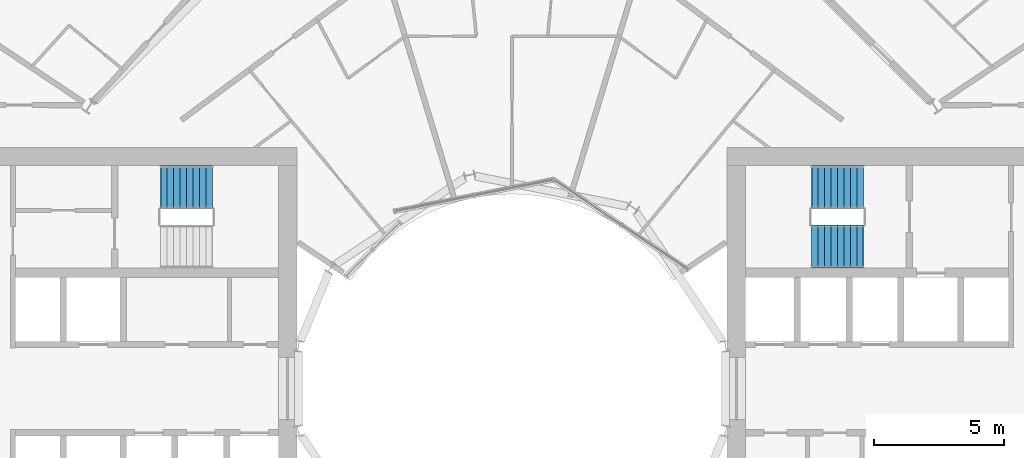
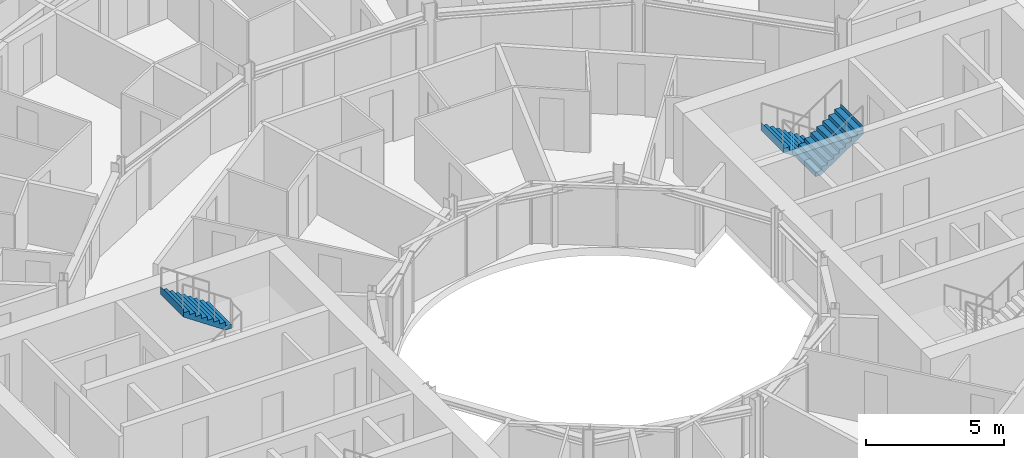
# One storey, part 25 of 26: 3 stair flights, 2 elements without a shape of their own.
"""IFC4 building model written with IfcOpenShell, lengths in metres."""

from ifc_helpers import new_model, si_unit, direction, frame, origin, place, context, subcontext, project, spatial, triangles, material, type_object, element, aggregate, save


model = new_model("IFC4")

# Units and contexts
model_context = context("Model", 3, precision=1e-05, world=origin(), true_north=direction((0.0, 1.0)))
body_context = subcontext(model_context, "Body", "Model", "MODEL_VIEW")
ifc_project = project(units=[si_unit("LENGTHUNIT", "METRE"), si_unit("AREAUNIT", "SQUARE_METRE"), si_unit("VOLUMEUNIT", "CUBIC_METRE"), si_unit("PLANEANGLEUNIT", "RADIAN"), si_unit("MASSUNIT", "GRAM", prefix="KILO")], contexts=[model_context])

# Site, building, storey
site_placement = place(None, origin())
site = spatial("IfcSite", under=ifc_project, at=site_placement, CompositionType="ELEMENT")
building_placement = place(site_placement, origin())
building = spatial("IfcBuilding", under=site, at=building_placement, Name="Maasbend Ring Residences", CompositionType="ELEMENT")
storey_placement = place(building_placement, frame((0.0, 0.0, 78.85009765625)))
storey = spatial("IfcBuildingStorey", under=building, at=storey_placement, Name="L22", CompositionType="ELEMENT", Elevation=78.85009765625)

# Stair, stair flights
ifc_material_1 = material(Name="Concrete C40/50", Category="concrete")
stair_type = type_object("IfcStairType", Name="CORE STAIR 18 RISERS", PredefinedType="HALF_TURN_STAIR", material=ifc_material_1)
stair_1_placement = place(storey_placement, origin())
stair_1 = element("IfcStair", 1, at=stair_1_placement, inside=storey, type_object=stair_type, Name="L22 Exit stair ST-E1", PredefinedType="HALF_TURN_STAIR")
ifc_material_2 = material(Name="Concrete C40/50", Category="concrete")
stair_flight_type = type_object("IfcStairFlightType", Name="CORE STAIR FLIGHT 1650", PredefinedType="STRAIGHT", material=ifc_material_2)
stair_flight_1_placement = place(storey_placement, frame((13.550048828125, 7.77490234375, 0.0), z_axis=(0.0, 0.0, 1.0), x_axis=(-1.0, 0.0, 0.0)))
stair_flight_1 = element("IfcStairFlight", 2, at=stair_flight_1_placement, type_object=stair_flight_type, Name="ST-E1 flight 1", NumberOfRisers=9, NumberOfTreads=8, PredefinedType="STRAIGHT", RiserHeight=0.169444444, TreadLength=0.25, context=body_context, shape_type="Tessellation", body=[
    triangles([(0.24072265625, 0.824951171875, -0.02001953125), (2.0029296875, 0.824951171875, 1.174560546875), (2.0029296875, 0.824951171875, 1.52490234375), (1.989990234375, 0.824951171875, 1.35546875), (1.75, 0.824951171875, 1.35546875), (1.75, 0.824951171875, 1.18603515625), (1.5, 0.824951171875, 1.18603515625), (1.5, 0.824951171875, 1.0166015625), (1.25, 0.824951171875, 1.0166015625), (1.25, 0.824951171875, 0.84716796875), (1.0, 0.824951171875, 0.84716796875), (1.0, 0.824951171875, 0.677734375), (0.75, 0.824951171875, 0.677734375), (0.75, 0.824951171875, 0.50830078125), (0.5, 0.824951171875, 0.50830078125), (0.5, 0.824951171875, 0.3388671875), (0.25, 0.824951171875, 0.3388671875), (0.25, 0.824951171875, 0.16943359375), (0.0, 0.824951171875, 0.16943359375), (0.0, 0.824951171875, 0.0), (-0.0029296875, 0.824951171875, 0.0), (-0.0029296875, 0.824951171875, -0.02001953125), (0.24072265625, 0.27490234375, -0.02001953125), (2.0029296875, 0.27490234375, 1.174560546875), (2.0029296875, 0.27490234375, 1.52490234375), (1.989990234375, 0.27490234375, 1.35546875), (1.75, 0.27490234375, 1.35546875), (1.75, 0.27490234375, 1.18603515625), (1.5, 0.27490234375, 1.18603515625), (1.5, 0.27490234375, 1.0166015625), (1.25, 0.27490234375, 1.0166015625), (1.25, 0.27490234375, 0.84716796875), (1.0, 0.27490234375, 0.84716796875), (1.0, 0.27490234375, 0.677734375), (0.75, 0.27490234375, 0.677734375), (0.75, 0.27490234375, 0.50830078125), (0.5, 0.27490234375, 0.50830078125), (0.5, 0.27490234375, 0.3388671875), (0.25, 0.27490234375, 0.3388671875), (0.25, 0.27490234375, 0.16943359375), (0.0, 0.27490234375, 0.16943359375), (0.0, 0.27490234375, 0.0), (-0.0029296875, 0.27490234375, 0.0), (-0.0029296875, 0.27490234375, -0.02001953125), (0.24072265625, -0.27490234375, -0.02001953125), (2.0029296875, -0.27490234375, 1.174560546875), (2.0029296875, -0.27490234375, 1.52490234375), (1.989990234375, -0.27490234375, 1.35546875), (1.75, -0.27490234375, 1.35546875), (1.75, -0.27490234375, 1.18603515625), (1.5, -0.27490234375, 1.18603515625), (1.5, -0.27490234375, 1.0166015625), (1.25, -0.27490234375, 1.0166015625), (1.25, -0.27490234375, 0.84716796875), (1.0, -0.27490234375, 0.84716796875), (1.0, -0.27490234375, 0.677734375), (0.75, -0.27490234375, 0.677734375), (0.75, -0.27490234375, 0.50830078125), (0.5, -0.27490234375, 0.50830078125), (0.5, -0.27490234375, 0.3388671875), (0.25, -0.27490234375, 0.3388671875), (0.25, -0.27490234375, 0.16943359375), (0.0, -0.27490234375, 0.16943359375), (0.0, -0.27490234375, 0.0), (-0.0029296875, -0.27490234375, 0.0), (-0.0029296875, -0.27490234375, -0.02001953125), (0.24072265625, -0.824951171875, -0.02001953125), (2.0029296875, -0.824951171875, 1.174560546875), (2.0029296875, -0.824951171875, 1.52490234375), (1.989990234375, -0.824951171875, 1.35546875), (1.75, -0.824951171875, 1.35546875), (1.75, -0.824951171875, 1.18603515625), (1.5, -0.824951171875, 1.18603515625), (1.5, -0.824951171875, 1.0166015625), (1.25, -0.824951171875, 1.0166015625), (1.25, -0.824951171875, 0.84716796875), (1.0, -0.824951171875, 0.84716796875), (1.0, -0.824951171875, 0.677734375), (0.75, -0.824951171875, 0.677734375), (0.75, -0.824951171875, 0.50830078125), (0.5, -0.824951171875, 0.50830078125), (0.5, -0.824951171875, 0.3388671875), (0.25, -0.824951171875, 0.3388671875), (0.25, -0.824951171875, 0.16943359375), (0.0, -0.824951171875, 0.16943359375), (0.0, -0.824951171875, 0.0), (-0.0029296875, -0.824951171875, 0.0), (-0.0029296875, -0.824951171875, -0.02001953125)], [[1, 2, 24], [1, 24, 23], [23, 24, 46], [23, 46, 45], [45, 46, 68], [45, 68, 67], [2, 3, 25], [2, 25, 24], [24, 25, 47], [24, 47, 46], [46, 47, 69], [46, 69, 68], [3, 4, 26], [3, 26, 25], [25, 26, 48], [25, 48, 47], [47, 48, 70], [47, 70, 69], [4, 5, 27], [4, 27, 26], [26, 27, 49], [26, 49, 48], [48, 49, 71], [48, 71, 70], [5, 6, 28], [5, 28, 27], [27, 28, 50], [27, 50, 49], [49, 50, 72], [49, 72, 71], [6, 7, 29], [6, 29, 28], [28, 29, 51], [28, 51, 50], [50, 51, 73], [50, 73, 72], [7, 8, 30], [7, 30, 29], [29, 30, 52], [29, 52, 51], [51, 52, 74], [51, 74, 73], [8, 9, 31], [8, 31, 30], [30, 31, 53], [30, 53, 52], [52, 53, 75], [52, 75, 74], [9, 10, 32], [9, 32, 31], [31, 32, 54], [31, 54, 53], [53, 54, 76], [53, 76, 75], [10, 11, 33], [10, 33, 32], [32, 33, 55], [32, 55, 54], [54, 55, 77], [54, 77, 76], [11, 12, 34], [11, 34, 33], [33, 34, 56], [33, 56, 55], [55, 56, 78], [55, 78, 77], [12, 13, 35], [12, 35, 34], [34, 35, 57], [34, 57, 56], [56, 57, 79], [56, 79, 78], [13, 14, 36], [13, 36, 35], [35, 36, 58], [35, 58, 57], [57, 58, 80], [57, 80, 79], [14, 15, 37], [14, 37, 36], [36, 37, 59], [36, 59, 58], [58, 59, 81], [58, 81, 80], [15, 16, 38], [15, 38, 37], [37, 38, 60], [37, 60, 59], [59, 60, 82], [59, 82, 81], [16, 17, 39], [16, 39, 38], [38, 39, 61], [38, 61, 60], [60, 61, 83], [60, 83, 82], [17, 18, 40], [17, 40, 39], [39, 40, 62], [39, 62, 61], [61, 62, 84], [61, 84, 83], [18, 19, 41], [18, 41, 40], [40, 41, 63], [40, 63, 62], [62, 63, 85], [62, 85, 84], [19, 20, 42], [19, 42, 41], [41, 42, 64], [41, 64, 63], [63, 64, 86], [63, 86, 85], [20, 21, 43], [20, 43, 42], [42, 43, 65], [42, 65, 64], [64, 65, 87], [64, 87, 86], [21, 22, 44], [21, 44, 43], [43, 44, 66], [43, 66, 65], [65, 66, 88], [65, 88, 87], [22, 1, 23], [22, 23, 44], [44, 23, 45], [44, 45, 66], [66, 45, 67], [66, 67, 88], [22, 2, 1], [2, 4, 3], [2, 5, 4], [2, 6, 5], [22, 6, 2], [6, 8, 7], [22, 8, 6], [8, 10, 9], [22, 10, 8], [10, 12, 11], [22, 12, 10], [12, 14, 13], [22, 14, 12], [14, 16, 15], [22, 16, 14], [16, 18, 17], [22, 18, 16], [18, 20, 19], [22, 20, 18], [20, 22, 21], [88, 67, 68], [68, 69, 70], [68, 70, 71], [68, 71, 72], [88, 68, 72], [72, 73, 74], [88, 72, 74], [74, 75, 76], [88, 74, 76], [76, 77, 78], [88, 76, 78], [78, 79, 80], [88, 78, 80], [80, 81, 82], [88, 80, 82], [82, 83, 84], [88, 82, 84], [84, 85, 86], [88, 84, 86], [86, 87, 88]], closed=True),
])
stair_flight_2_placement = place(storey_placement, frame((11.550048828125, 5.47509765625, 1.52490234375), z_axis=(0.0, 0.0, 1.0), x_axis=(1.0, 0.0, 0.0)))
stair_flight_2 = element("IfcStairFlight", 3, at=stair_flight_2_placement, type_object=stair_flight_type, Name="ST-E1 flight 2", NumberOfRisers=9, NumberOfTreads=8, PredefinedType="STRAIGHT", RiserHeight=0.169444444, TreadLength=0.25, context=body_context, shape_type="Tessellation", body=[
    triangles([(0.24072265625, 0.824951171875, -0.02001953125), (2.0029296875, 0.824951171875, 1.174560546875), (2.0029296875, 0.824951171875, 1.52490234375), (1.989990234375, 0.824951171875, 1.35546875), (1.75, 0.824951171875, 1.35546875), (1.75, 0.824951171875, 1.18603515625), (1.5, 0.824951171875, 1.18603515625), (1.5, 0.824951171875, 1.0166015625), (1.25, 0.824951171875, 1.0166015625), (1.25, 0.824951171875, 0.84716796875), (1.0, 0.824951171875, 0.84716796875), (1.0, 0.824951171875, 0.677734375), (0.75, 0.824951171875, 0.677734375), (0.75, 0.824951171875, 0.50830078125), (0.5, 0.824951171875, 0.50830078125), (0.5, 0.824951171875, 0.3388671875), (0.25, 0.824951171875, 0.3388671875), (0.25, 0.824951171875, 0.16943359375), (0.0, 0.824951171875, 0.16943359375), (0.0, 0.824951171875, 0.0), (-0.0029296875, 0.824951171875, 0.0), (-0.0029296875, 0.824951171875, -0.02001953125), (0.24072265625, 0.27490234375, -0.02001953125), (2.0029296875, 0.27490234375, 1.174560546875), (2.0029296875, 0.27490234375, 1.52490234375), (1.989990234375, 0.27490234375, 1.35546875), (1.75, 0.27490234375, 1.35546875), (1.75, 0.27490234375, 1.18603515625), (1.5, 0.27490234375, 1.18603515625), (1.5, 0.27490234375, 1.0166015625), (1.25, 0.27490234375, 1.0166015625), (1.25, 0.27490234375, 0.84716796875), (1.0, 0.27490234375, 0.84716796875), (1.0, 0.27490234375, 0.677734375), (0.75, 0.27490234375, 0.677734375), (0.75, 0.27490234375, 0.50830078125), (0.5, 0.27490234375, 0.50830078125), (0.5, 0.27490234375, 0.3388671875), (0.25, 0.27490234375, 0.3388671875), (0.25, 0.27490234375, 0.16943359375), (0.0, 0.27490234375, 0.16943359375), (0.0, 0.27490234375, 0.0), (-0.0029296875, 0.27490234375, 0.0), (-0.0029296875, 0.27490234375, -0.02001953125), (0.24072265625, -0.27490234375, -0.02001953125), (2.0029296875, -0.27490234375, 1.174560546875), (2.0029296875, -0.27490234375, 1.52490234375), (1.989990234375, -0.27490234375, 1.35546875), (1.75, -0.27490234375, 1.35546875), (1.75, -0.27490234375, 1.18603515625), (1.5, -0.27490234375, 1.18603515625), (1.5, -0.27490234375, 1.0166015625), (1.25, -0.27490234375, 1.0166015625), (1.25, -0.27490234375, 0.84716796875), (1.0, -0.27490234375, 0.84716796875), (1.0, -0.27490234375, 0.677734375), (0.75, -0.27490234375, 0.677734375), (0.75, -0.27490234375, 0.50830078125), (0.5, -0.27490234375, 0.50830078125), (0.5, -0.27490234375, 0.3388671875), (0.25, -0.27490234375, 0.3388671875), (0.25, -0.27490234375, 0.16943359375), (0.0, -0.27490234375, 0.16943359375), (0.0, -0.27490234375, 0.0), (-0.0029296875, -0.27490234375, 0.0), (-0.0029296875, -0.27490234375, -0.02001953125), (0.24072265625, -0.824951171875, -0.02001953125), (2.0029296875, -0.824951171875, 1.174560546875), (2.0029296875, -0.824951171875, 1.52490234375), (1.989990234375, -0.824951171875, 1.35546875), (1.75, -0.824951171875, 1.35546875), (1.75, -0.824951171875, 1.18603515625), (1.5, -0.824951171875, 1.18603515625), (1.5, -0.824951171875, 1.0166015625), (1.25, -0.824951171875, 1.0166015625), (1.25, -0.824951171875, 0.84716796875), (1.0, -0.824951171875, 0.84716796875), (1.0, -0.824951171875, 0.677734375), (0.75, -0.824951171875, 0.677734375), (0.75, -0.824951171875, 0.50830078125), (0.5, -0.824951171875, 0.50830078125), (0.5, -0.824951171875, 0.3388671875), (0.25, -0.824951171875, 0.3388671875), (0.25, -0.824951171875, 0.16943359375), (0.0, -0.824951171875, 0.16943359375), (0.0, -0.824951171875, 0.0), (-0.0029296875, -0.824951171875, 0.0), (-0.0029296875, -0.824951171875, -0.02001953125)], [[1, 2, 24], [1, 24, 23], [23, 24, 46], [23, 46, 45], [45, 46, 68], [45, 68, 67], [2, 3, 25], [2, 25, 24], [24, 25, 47], [24, 47, 46], [46, 47, 69], [46, 69, 68], [3, 4, 26], [3, 26, 25], [25, 26, 48], [25, 48, 47], [47, 48, 70], [47, 70, 69], [4, 5, 27], [4, 27, 26], [26, 27, 49], [26, 49, 48], [48, 49, 71], [48, 71, 70], [5, 6, 28], [5, 28, 27], [27, 28, 50], [27, 50, 49], [49, 50, 72], [49, 72, 71], [6, 7, 29], [6, 29, 28], [28, 29, 51], [28, 51, 50], [50, 51, 73], [50, 73, 72], [7, 8, 30], [7, 30, 29], [29, 30, 52], [29, 52, 51], [51, 52, 74], [51, 74, 73], [8, 9, 31], [8, 31, 30], [30, 31, 53], [30, 53, 52], [52, 53, 75], [52, 75, 74], [9, 10, 32], [9, 32, 31], [31, 32, 54], [31, 54, 53], [53, 54, 76], [53, 76, 75], [10, 11, 33], [10, 33, 32], [32, 33, 55], [32, 55, 54], [54, 55, 77], [54, 77, 76], [11, 12, 34], [11, 34, 33], [33, 34, 56], [33, 56, 55], [55, 56, 78], [55, 78, 77], [12, 13, 35], [12, 35, 34], [34, 35, 57], [34, 57, 56], [56, 57, 79], [56, 79, 78], [13, 14, 36], [13, 36, 35], [35, 36, 58], [35, 58, 57], [57, 58, 80], [57, 80, 79], [14, 15, 37], [14, 37, 36], [36, 37, 59], [36, 59, 58], [58, 59, 81], [58, 81, 80], [15, 16, 38], [15, 38, 37], [37, 38, 60], [37, 60, 59], [59, 60, 82], [59, 82, 81], [16, 17, 39], [16, 39, 38], [38, 39, 61], [38, 61, 60], [60, 61, 83], [60, 83, 82], [17, 18, 40], [17, 40, 39], [39, 40, 62], [39, 62, 61], [61, 62, 84], [61, 84, 83], [18, 19, 41], [18, 41, 40], [40, 41, 63], [40, 63, 62], [62, 63, 85], [62, 85, 84], [19, 20, 42], [19, 42, 41], [41, 42, 64], [41, 64, 63], [63, 64, 86], [63, 86, 85], [20, 21, 43], [20, 43, 42], [42, 43, 65], [42, 65, 64], [64, 65, 87], [64, 87, 86], [21, 22, 44], [21, 44, 43], [43, 44, 66], [43, 66, 65], [65, 66, 88], [65, 88, 87], [22, 1, 23], [22, 23, 44], [44, 23, 45], [44, 45, 66], [66, 45, 67], [66, 67, 88], [22, 2, 1], [2, 4, 3], [2, 5, 4], [2, 6, 5], [22, 6, 2], [6, 8, 7], [22, 8, 6], [8, 10, 9], [22, 10, 8], [10, 12, 11], [22, 12, 10], [12, 14, 13], [22, 14, 12], [14, 16, 15], [22, 16, 14], [16, 18, 17], [22, 18, 16], [18, 20, 19], [22, 20, 18], [20, 22, 21], [88, 67, 68], [68, 69, 70], [68, 70, 71], [68, 71, 72], [88, 68, 72], [72, 73, 74], [88, 72, 74], [74, 75, 76], [88, 74, 76], [76, 77, 78], [88, 76, 78], [78, 79, 80], [88, 78, 80], [80, 81, 82], [88, 80, 82], [82, 83, 84], [88, 82, 84], [84, 85, 86], [88, 84, 86], [86, 87, 88]], closed=True),
])
aggregate(stair_1, [stair_flight_1, stair_flight_2])

# Stair, stair flight
stair_2_placement = place(storey_placement, origin())
stair_2 = element("IfcStair", 4, at=stair_2_placement, inside=storey, type_object=stair_type, Name="L22 Exit stair ST-W2", PredefinedType="HALF_TURN_STAIR")
stair_flight_3_placement = place(storey_placement, frame((-11.550048828125, 7.77490234375, 1.52490234375), z_axis=(0.0, 0.0, 1.0), x_axis=(-1.0, 0.0, 0.0)))
stair_flight_3 = element("IfcStairFlight", 5, at=stair_flight_3_placement, type_object=stair_flight_type, Name="ST-W2 flight 2", NumberOfRisers=9, NumberOfTreads=8, PredefinedType="STRAIGHT", RiserHeight=0.169444444, TreadLength=0.25, context=body_context, shape_type="Tessellation", body=[
    triangles([(0.24072265625, 0.824951171875, -0.02001953125), (2.0029296875, 0.824951171875, 1.174560546875), (2.0029296875, 0.824951171875, 1.52490234375), (1.989990234375, 0.824951171875, 1.35546875), (1.75, 0.824951171875, 1.35546875), (1.75, 0.824951171875, 1.18603515625), (1.5, 0.824951171875, 1.18603515625), (1.5, 0.824951171875, 1.0166015625), (1.25, 0.824951171875, 1.0166015625), (1.25, 0.824951171875, 0.84716796875), (1.0, 0.824951171875, 0.84716796875), (1.0, 0.824951171875, 0.677734375), (0.75, 0.824951171875, 0.677734375), (0.75, 0.824951171875, 0.50830078125), (0.5, 0.824951171875, 0.50830078125), (0.5, 0.824951171875, 0.3388671875), (0.25, 0.824951171875, 0.3388671875), (0.25, 0.824951171875, 0.16943359375), (0.0, 0.824951171875, 0.16943359375), (0.0, 0.824951171875, 0.0), (-0.0029296875, 0.824951171875, 0.0), (-0.0029296875, 0.824951171875, -0.02001953125), (0.24072265625, 0.27490234375, -0.02001953125), (2.0029296875, 0.27490234375, 1.174560546875), (2.0029296875, 0.27490234375, 1.52490234375), (1.989990234375, 0.27490234375, 1.35546875), (1.75, 0.27490234375, 1.35546875), (1.75, 0.27490234375, 1.18603515625), (1.5, 0.27490234375, 1.18603515625), (1.5, 0.27490234375, 1.0166015625), (1.25, 0.27490234375, 1.0166015625), (1.25, 0.27490234375, 0.84716796875), (1.0, 0.27490234375, 0.84716796875), (1.0, 0.27490234375, 0.677734375), (0.75, 0.27490234375, 0.677734375), (0.75, 0.27490234375, 0.50830078125), (0.5, 0.27490234375, 0.50830078125), (0.5, 0.27490234375, 0.3388671875), (0.25, 0.27490234375, 0.3388671875), (0.25, 0.27490234375, 0.16943359375), (0.0, 0.27490234375, 0.16943359375), (0.0, 0.27490234375, 0.0), (-0.0029296875, 0.27490234375, 0.0), (-0.0029296875, 0.27490234375, -0.02001953125), (0.24072265625, -0.27490234375, -0.02001953125), (2.0029296875, -0.27490234375, 1.174560546875), (2.0029296875, -0.27490234375, 1.52490234375), (1.989990234375, -0.27490234375, 1.35546875), (1.75, -0.27490234375, 1.35546875), (1.75, -0.27490234375, 1.18603515625), (1.5, -0.27490234375, 1.18603515625), (1.5, -0.27490234375, 1.0166015625), (1.25, -0.27490234375, 1.0166015625), (1.25, -0.27490234375, 0.84716796875), (1.0, -0.27490234375, 0.84716796875), (1.0, -0.27490234375, 0.677734375), (0.75, -0.27490234375, 0.677734375), (0.75, -0.27490234375, 0.50830078125), (0.5, -0.27490234375, 0.50830078125), (0.5, -0.27490234375, 0.3388671875), (0.25, -0.27490234375, 0.3388671875), (0.25, -0.27490234375, 0.16943359375), (0.0, -0.27490234375, 0.16943359375), (0.0, -0.27490234375, 0.0), (-0.0029296875, -0.27490234375, 0.0), (-0.0029296875, -0.27490234375, -0.02001953125), (0.24072265625, -0.824951171875, -0.02001953125), (2.0029296875, -0.824951171875, 1.174560546875), (2.0029296875, -0.824951171875, 1.52490234375), (1.989990234375, -0.824951171875, 1.35546875), (1.75, -0.824951171875, 1.35546875), (1.75, -0.824951171875, 1.18603515625), (1.5, -0.824951171875, 1.18603515625), (1.5, -0.824951171875, 1.0166015625), (1.25, -0.824951171875, 1.0166015625), (1.25, -0.824951171875, 0.84716796875), (1.0, -0.824951171875, 0.84716796875), (1.0, -0.824951171875, 0.677734375), (0.75, -0.824951171875, 0.677734375), (0.75, -0.824951171875, 0.50830078125), (0.5, -0.824951171875, 0.50830078125), (0.5, -0.824951171875, 0.3388671875), (0.25, -0.824951171875, 0.3388671875), (0.25, -0.824951171875, 0.16943359375), (0.0, -0.824951171875, 0.16943359375), (0.0, -0.824951171875, 0.0), (-0.0029296875, -0.824951171875, 0.0), (-0.0029296875, -0.824951171875, -0.02001953125)], [[1, 2, 24], [1, 24, 23], [23, 24, 46], [23, 46, 45], [45, 46, 68], [45, 68, 67], [2, 3, 25], [2, 25, 24], [24, 25, 47], [24, 47, 46], [46, 47, 69], [46, 69, 68], [3, 4, 26], [3, 26, 25], [25, 26, 48], [25, 48, 47], [47, 48, 70], [47, 70, 69], [4, 5, 27], [4, 27, 26], [26, 27, 49], [26, 49, 48], [48, 49, 71], [48, 71, 70], [5, 6, 28], [5, 28, 27], [27, 28, 50], [27, 50, 49], [49, 50, 72], [49, 72, 71], [6, 7, 29], [6, 29, 28], [28, 29, 51], [28, 51, 50], [50, 51, 73], [50, 73, 72], [7, 8, 30], [7, 30, 29], [29, 30, 52], [29, 52, 51], [51, 52, 74], [51, 74, 73], [8, 9, 31], [8, 31, 30], [30, 31, 53], [30, 53, 52], [52, 53, 75], [52, 75, 74], [9, 10, 32], [9, 32, 31], [31, 32, 54], [31, 54, 53], [53, 54, 76], [53, 76, 75], [10, 11, 33], [10, 33, 32], [32, 33, 55], [32, 55, 54], [54, 55, 77], [54, 77, 76], [11, 12, 34], [11, 34, 33], [33, 34, 56], [33, 56, 55], [55, 56, 78], [55, 78, 77], [12, 13, 35], [12, 35, 34], [34, 35, 57], [34, 57, 56], [56, 57, 79], [56, 79, 78], [13, 14, 36], [13, 36, 35], [35, 36, 58], [35, 58, 57], [57, 58, 80], [57, 80, 79], [14, 15, 37], [14, 37, 36], [36, 37, 59], [36, 59, 58], [58, 59, 81], [58, 81, 80], [15, 16, 38], [15, 38, 37], [37, 38, 60], [37, 60, 59], [59, 60, 82], [59, 82, 81], [16, 17, 39], [16, 39, 38], [38, 39, 61], [38, 61, 60], [60, 61, 83], [60, 83, 82], [17, 18, 40], [17, 40, 39], [39, 40, 62], [39, 62, 61], [61, 62, 84], [61, 84, 83], [18, 19, 41], [18, 41, 40], [40, 41, 63], [40, 63, 62], [62, 63, 85], [62, 85, 84], [19, 20, 42], [19, 42, 41], [41, 42, 64], [41, 64, 63], [63, 64, 86], [63, 86, 85], [20, 21, 43], [20, 43, 42], [42, 43, 65], [42, 65, 64], [64, 65, 87], [64, 87, 86], [21, 22, 44], [21, 44, 43], [43, 44, 66], [43, 66, 65], [65, 66, 88], [65, 88, 87], [22, 1, 23], [22, 23, 44], [44, 23, 45], [44, 45, 66], [66, 45, 67], [66, 67, 88], [22, 2, 1], [2, 4, 3], [2, 5, 4], [2, 6, 5], [22, 6, 2], [6, 8, 7], [22, 8, 6], [8, 10, 9], [22, 10, 8], [10, 12, 11], [22, 12, 10], [12, 14, 13], [22, 14, 12], [14, 16, 15], [22, 16, 14], [16, 18, 17], [22, 18, 16], [18, 20, 19], [22, 20, 18], [20, 22, 21], [88, 67, 68], [68, 69, 70], [68, 70, 71], [68, 71, 72], [88, 68, 72], [72, 73, 74], [88, 72, 74], [74, 75, 76], [88, 74, 76], [76, 77, 78], [88, 76, 78], [78, 79, 80], [88, 78, 80], [80, 81, 82], [88, 80, 82], [82, 83, 84], [88, 82, 84], [84, 85, 86], [88, 84, 86], [86, 87, 88]], closed=True),
])
aggregate(stair_2, [stair_flight_3])

save(model, "model.ifc")
